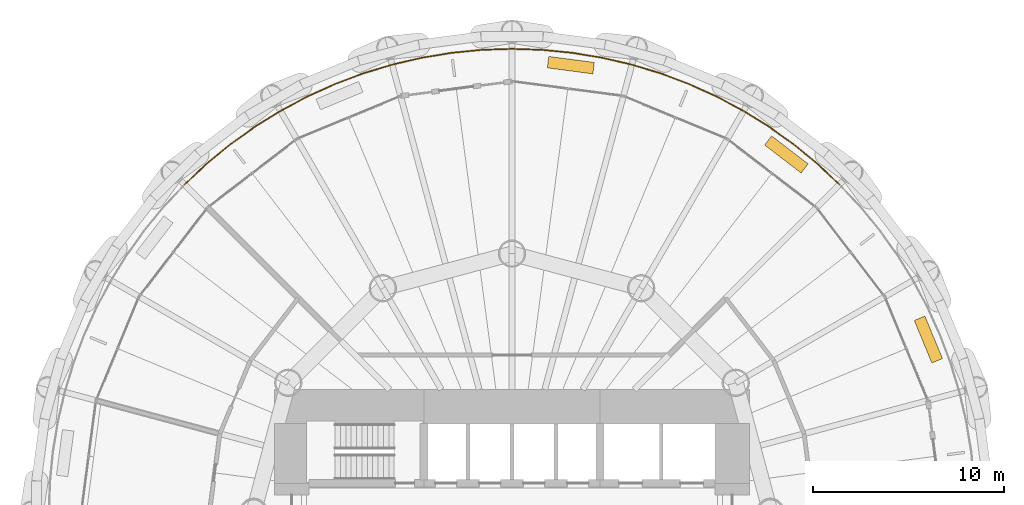
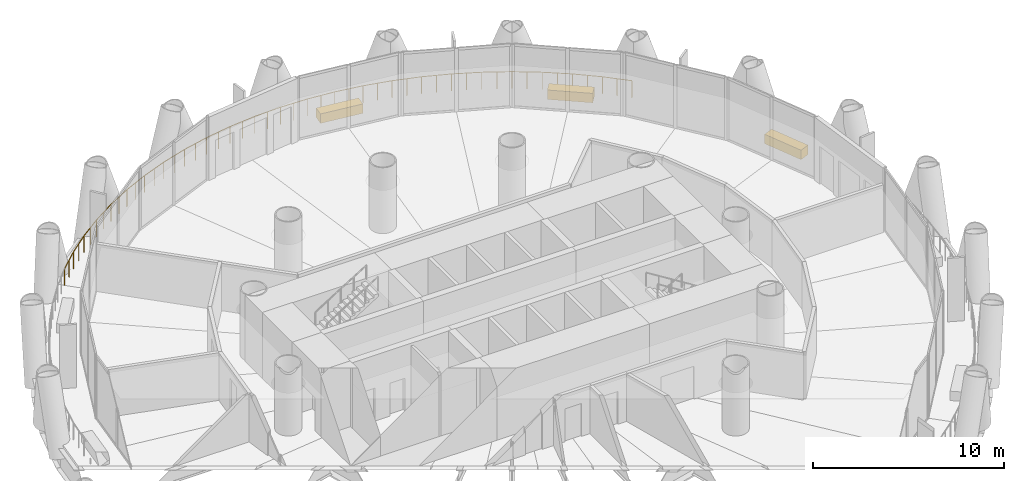
# One storey, part 16 of 16: 3 coverings, 1 railing.
"""IFC4 building model written with IfcOpenShell, lengths in metres."""

from ifc_helpers import new_model, si_unit, direction, frame, origin, origin_2d, place, context, subcontext, project, spatial, rectangle, circle, extrude, material, layer, layer_set, type_object, element, save


model = new_model("IFC4")

# Units and contexts
model_context = context("Model", 3, precision=1e-05, world=origin(), true_north=direction((0.0, 1.0)))
body_context = subcontext(model_context, "Body", "Model", "MODEL_VIEW")
ifc_project = project(units=[si_unit("LENGTHUNIT", "METRE"), si_unit("AREAUNIT", "SQUARE_METRE"), si_unit("VOLUMEUNIT", "CUBIC_METRE"), si_unit("PLANEANGLEUNIT", "RADIAN"), si_unit("MASSUNIT", "GRAM", prefix="KILO")], contexts=[model_context])

# Site, building, storey
site_placement = place(None, origin())
site = spatial("IfcSite", under=ifc_project, at=site_placement, CompositionType="ELEMENT")
building_placement = place(site_placement, origin())
building = spatial("IfcBuilding", under=site, at=building_placement, Name="Qaws Media Tower", CompositionType="ELEMENT")
storey_placement = place(building_placement, frame((0.0, 0.0, 55.39990234375)))
storey = spatial("IfcBuildingStorey", under=building, at=storey_placement, Name="L11", CompositionType="ELEMENT", Elevation=55.39990234375)

# Railing
ifc_material_1 = material(Name="Stainless steel and glass guard", Category="steel")
railing_type = type_object("IfcRailingType", Name="Balcony guard 1100", PredefinedType="GUARDRAIL", material=ifc_material_1)
railing_placement = place(storey_placement, frame((77.112060546875, 67.112060546875, 0.0)))
element("IfcRailing", 1, at=railing_placement, inside=storey, type_object=railing_type, Name="GR1 balcony guard L11-1", PredefinedType="GUARDRAIL", context=body_context, shape_type="SweptSolid", body=[
    extrude(circle(Radius=0.02392578125, at=origin_2d()), frame((0.0, 0.0, 1.076171875), z_axis=(-0.729926480872, 0.683525663397, 0.0), x_axis=(-0.683525663397, -0.729926480872, 0.0)), (0.0, 0.0, 1.0), 1.583740234375),
    extrude(circle(Radius=0.02392578125, at=origin_2d()), frame((-1.156005859375, 1.08251953125, 1.076171875), z_axis=(-0.773001642284, 0.634404020343, 0.0), x_axis=(-0.634404020343, -0.773001642284, 0.0)), (0.0, 0.0, 1.0), 1.58349609375),
    extrude(circle(Radius=0.02392578125, at=origin_2d()), frame((-2.380126953125, 2.087158203125, 1.076171875), z_axis=(-0.81283659414, 0.582491777819, 0.0), x_axis=(-0.582491777819, -0.81283659414, 0.0)), (0.0, 0.0, 1.0), 1.58349609375),
    extrude(circle(Radius=0.02392578125, at=origin_2d()), frame((-3.667236328125, 3.009521484375, 1.076171875), z_axis=(-0.849208715075, 0.528057343706, 0.0), x_axis=(-0.528057343706, -0.849208715075, 0.0)), (0.0, 0.0, 1.0), 1.58349609375),
    extrude(circle(Radius=0.02392578125, at=origin_2d()), frame((-5.011962890625, 3.845703125, 1.076171875), z_axis=(-0.881917304281, 0.471404145515, 0.0), x_axis=(-0.471404145515, -0.881917304281, 0.0)), (0.0, 0.0, 1.0), 1.583740234375),
    extrude(circle(Radius=0.02392578125, at=origin_2d()), frame((-6.40869140625, 4.59228515625, 1.076171875), z_axis=(-0.910856868467, 0.412722382682, 0.0), x_axis=(-0.412722382682, -0.910856868467, 0.0)), (0.0, 0.0, 1.0), 1.58349609375),
    extrude(circle(Radius=0.02392578125, at=origin_2d()), frame((-7.85107421875, 5.245849609375, 1.076171875), z_axis=(-0.935904026053, 0.35225509793, 0.0), x_axis=(-0.35225509793, -0.935904026053, 0.0)), (0.0, 0.0, 1.0), 1.583740234375),
    extrude(circle(Radius=0.02392578125, at=origin_2d()), frame((-9.333251953125, 5.8037109375, 1.076171875), z_axis=(-0.95693489086, 0.290302625985, 0.0), x_axis=(-0.290302625985, -0.95693489086, 0.0)), (0.0, 0.0, 1.0), 1.58349609375),
    extrude(circle(Radius=0.02392578125, at=origin_2d()), frame((-10.8486328125, 6.263427734375, 1.076171875), z_axis=(-0.973874177295, 0.227088279746, 0.0), x_axis=(-0.227088279746, -0.973874177295, 0.0)), (0.0, 0.0, 1.0), 1.58349609375),
    extrude(circle(Radius=0.02392578125, at=origin_2d()), frame((-12.390869140625, 6.623046875, 1.076171875), z_axis=(-0.986659290868, 0.162798782993, 0.0), x_axis=(-0.162798782993, -0.986659290868, 0.0)), (0.0, 0.0, 1.0), 1.583740234375),
    extrude(circle(Radius=0.02392578125, at=origin_2d()), frame((-13.953369140625, 6.880859375, 1.076171875), z_axis=(-0.995181146918, 0.098053479386, 0.0), x_axis=(-0.098053479386, -0.995181146918, 0.0)), (0.0, 0.0, 1.0), 1.58349609375),
    extrude(circle(Radius=0.02392578125, at=origin_2d()), frame((-15.529296875, 7.0361328125, 1.076171875), z_axis=(-0.999465753674, 0.032683439731, 0.0), x_axis=(-0.032683439731, -0.999465753674, 0.0)), (0.0, 0.0, 1.0), 1.58349609375),
    extrude(circle(Radius=0.02392578125, at=origin_2d()), frame((-17.112060546875, 7.087890625, 1.076171875), z_axis=(-0.999465753674, -0.032683439731, 0.0), x_axis=(0.032683439731, -0.999465753674, 0.0)), (0.0, 0.0, 1.0), 1.58349609375),
    extrude(circle(Radius=0.02392578125, at=origin_2d()), frame((-18.69482421875, 7.0361328125, 1.076171875), z_axis=(-0.995181146918, -0.098053479386, 0.0), x_axis=(0.098053479386, -0.995181146918, 0.0)), (0.0, 0.0, 1.0), 1.58349609375),
    extrude(circle(Radius=0.02392578125, at=origin_2d()), frame((-20.270751953125, 6.880859375, 1.076171875), z_axis=(-0.986659290868, -0.162798782993, 0.0), x_axis=(0.162798782993, -0.986659290868, 0.0)), (0.0, 0.0, 1.0), 1.583740234375),
    extrude(circle(Radius=0.02392578125, at=origin_2d()), frame((-21.833251953125, 6.623046875, 1.076171875), z_axis=(-0.973874177295, -0.227088279746, 0.0), x_axis=(0.227088279746, -0.973874177295, 0.0)), (0.0, 0.0, 1.0), 1.58349609375),
    extrude(circle(Radius=0.02392578125, at=origin_2d()), frame((-23.37548828125, 6.263427734375, 1.076171875), z_axis=(-0.95693489086, -0.290302625985, 0.0), x_axis=(0.290302625985, -0.95693489086, 0.0)), (0.0, 0.0, 1.0), 1.58349609375),
    extrude(circle(Radius=0.02392578125, at=origin_2d()), frame((-24.890869140625, 5.8037109375, 1.076171875), z_axis=(-0.935904026053, -0.35225509793, 0.0), x_axis=(0.35225509793, -0.935904026053, 0.0)), (0.0, 0.0, 1.0), 1.583740234375),
    extrude(circle(Radius=0.02392578125, at=origin_2d()), frame((-26.373046875, 5.245849609375, 1.076171875), z_axis=(-0.910856868467, -0.412722382682, 0.0), x_axis=(0.412722382682, -0.910856868467, 0.0)), (0.0, 0.0, 1.0), 1.58349609375),
    extrude(circle(Radius=0.02392578125, at=origin_2d()), frame((-27.8154296875, 4.59228515625, 1.076171875), z_axis=(-0.881917304281, -0.471404145515, 0.0), x_axis=(0.471404145515, -0.881917304281, 0.0)), (0.0, 0.0, 1.0), 1.583740234375),
    extrude(circle(Radius=0.02392578125, at=origin_2d()), frame((-29.212158203125, 3.845703125, 1.076171875), z_axis=(-0.849208715075, -0.528057343706, 0.0), x_axis=(0.528057343706, -0.849208715075, 0.0)), (0.0, 0.0, 1.0), 1.58349609375),
    extrude(circle(Radius=0.02392578125, at=origin_2d()), frame((-30.556884765625, 3.009521484375, 1.076171875), z_axis=(-0.81283659414, -0.582491777819, 0.0), x_axis=(0.582491777819, -0.81283659414, 0.0)), (0.0, 0.0, 1.0), 1.58349609375),
    extrude(circle(Radius=0.02392578125, at=origin_2d()), frame((-31.843994140625, 2.087158203125, 1.076171875), z_axis=(-0.773001642284, -0.634404020343, 0.0), x_axis=(0.634404020343, -0.773001642284, 0.0)), (0.0, 0.0, 1.0), 1.58349609375),
    extrude(circle(Radius=0.02392578125, at=origin_2d()), frame((-33.068115234375, 1.08251953125, 1.076171875), z_axis=(-0.729926480872, -0.683525663397, 0.0), x_axis=(0.683525663397, -0.729926480872, 0.0)), (0.0, 0.0, 1.0), 1.583740234375),
    extrude(circle(Radius=0.02099609375, at=origin_2d()), origin(), (0.0, 0.0, 1.0), 1.052001953125),
    extrude(circle(Radius=0.02099609375, at=origin_2d()), frame((-0.578125, 0.541259765625, 0.0)), (0.0, 0.0, 1.0), 1.052001953125),
    extrude(circle(Radius=0.02099609375, at=origin_2d()), frame((-1.156005859375, 1.08251953125, 0.0)), (0.0, 0.0, 1.0), 1.052001953125),
    extrude(circle(Radius=0.02099609375, at=origin_2d()), frame((-1.76806640625, 1.5849609375, 0.0)), (0.0, 0.0, 1.0), 1.052001953125),
    extrude(circle(Radius=0.02099609375, at=origin_2d()), frame((-2.380126953125, 2.087158203125, 0.0)), (0.0, 0.0, 1.0), 1.052001953125),
    extrude(circle(Radius=0.02099609375, at=origin_2d()), frame((-3.023681640625, 2.54833984375, 0.0)), (0.0, 0.0, 1.0), 1.052001953125),
    extrude(circle(Radius=0.02099609375, at=origin_2d()), frame((-3.667236328125, 3.009521484375, 0.0)), (0.0, 0.0, 1.0), 1.052001953125),
    extrude(circle(Radius=0.02099609375, at=origin_2d()), frame((-4.339599609375, 3.427734375, 0.0)), (0.0, 0.0, 1.0), 1.052001953125),
    extrude(circle(Radius=0.02099609375, at=origin_2d()), frame((-5.011962890625, 3.845703125, 0.0)), (0.0, 0.0, 1.0), 1.052001953125),
    extrude(circle(Radius=0.02099609375, at=origin_2d()), frame((-5.71044921875, 4.218994140625, 0.0)), (0.0, 0.0, 1.0), 1.052001953125),
    extrude(circle(Radius=0.02099609375, at=origin_2d()), frame((-6.40869140625, 4.59228515625, 0.0)), (0.0, 0.0, 1.0), 1.052001953125),
    extrude(circle(Radius=0.02099609375, at=origin_2d()), frame((-7.1298828125, 4.9189453125, 0.0)), (0.0, 0.0, 1.0), 1.052001953125),
    extrude(circle(Radius=0.02099609375, at=origin_2d()), frame((-7.85107421875, 5.245849609375, 0.0)), (0.0, 0.0, 1.0), 1.052001953125),
    extrude(circle(Radius=0.02099609375, at=origin_2d()), frame((-8.59228515625, 5.52490234375, 0.0)), (0.0, 0.0, 1.0), 1.052001953125),
    extrude(circle(Radius=0.02099609375, at=origin_2d()), frame((-9.333251953125, 5.8037109375, 0.0)), (0.0, 0.0, 1.0), 1.052001953125),
    extrude(circle(Radius=0.02099609375, at=origin_2d()), frame((-10.0908203125, 6.03369140625, 0.0)), (0.0, 0.0, 1.0), 1.052001953125),
    extrude(circle(Radius=0.02099609375, at=origin_2d()), frame((-10.8486328125, 6.263427734375, 0.0)), (0.0, 0.0, 1.0), 1.052001953125),
    extrude(circle(Radius=0.02099609375, at=origin_2d()), frame((-11.61962890625, 6.443359375, 0.0)), (0.0, 0.0, 1.0), 1.052001953125),
    extrude(circle(Radius=0.02099609375, at=origin_2d()), frame((-12.390869140625, 6.623046875, 0.0)), (0.0, 0.0, 1.0), 1.052001953125),
    extrude(circle(Radius=0.02099609375, at=origin_2d()), frame((-13.172119140625, 6.751953125, 0.0)), (0.0, 0.0, 1.0), 1.052001953125),
    extrude(circle(Radius=0.02099609375, at=origin_2d()), frame((-13.953369140625, 6.880859375, 0.0)), (0.0, 0.0, 1.0), 1.052001953125),
    extrude(circle(Radius=0.02099609375, at=origin_2d()), frame((-14.7412109375, 6.95849609375, 0.0)), (0.0, 0.0, 1.0), 1.052001953125),
    extrude(circle(Radius=0.02099609375, at=origin_2d()), frame((-15.529296875, 7.0361328125, 0.0)), (0.0, 0.0, 1.0), 1.052001953125),
    extrude(circle(Radius=0.02099609375, at=origin_2d()), frame((-16.32080078125, 7.06201171875, 0.0)), (0.0, 0.0, 1.0), 1.052001953125),
    extrude(circle(Radius=0.02099609375, at=origin_2d()), frame((-17.112060546875, 7.087890625, 0.0)), (0.0, 0.0, 1.0), 1.052001953125),
    extrude(circle(Radius=0.02099609375, at=origin_2d()), frame((-17.9033203125, 7.06201171875, 0.0)), (0.0, 0.0, 1.0), 1.052001953125),
    extrude(circle(Radius=0.02099609375, at=origin_2d()), frame((-18.69482421875, 7.0361328125, 0.0)), (0.0, 0.0, 1.0), 1.052001953125),
    extrude(circle(Radius=0.02099609375, at=origin_2d()), frame((-19.48291015625, 6.95849609375, 0.0)), (0.0, 0.0, 1.0), 1.052001953125),
    extrude(circle(Radius=0.02099609375, at=origin_2d()), frame((-20.270751953125, 6.880859375, 0.0)), (0.0, 0.0, 1.0), 1.052001953125),
    extrude(circle(Radius=0.02099609375, at=origin_2d()), frame((-21.052001953125, 6.751953125, 0.0)), (0.0, 0.0, 1.0), 1.052001953125),
    extrude(circle(Radius=0.02099609375, at=origin_2d()), frame((-21.833251953125, 6.623046875, 0.0)), (0.0, 0.0, 1.0), 1.052001953125),
    extrude(circle(Radius=0.02099609375, at=origin_2d()), frame((-22.6044921875, 6.443359375, 0.0)), (0.0, 0.0, 1.0), 1.052001953125),
    extrude(circle(Radius=0.02099609375, at=origin_2d()), frame((-23.37548828125, 6.263427734375, 0.0)), (0.0, 0.0, 1.0), 1.052001953125),
    extrude(circle(Radius=0.02099609375, at=origin_2d()), frame((-24.13330078125, 6.03369140625, 0.0)), (0.0, 0.0, 1.0), 1.052001953125),
    extrude(circle(Radius=0.02099609375, at=origin_2d()), frame((-24.890869140625, 5.8037109375, 0.0)), (0.0, 0.0, 1.0), 1.052001953125),
    extrude(circle(Radius=0.02099609375, at=origin_2d()), frame((-25.6318359375, 5.52490234375, 0.0)), (0.0, 0.0, 1.0), 1.052001953125),
    extrude(circle(Radius=0.02099609375, at=origin_2d()), frame((-26.373046875, 5.245849609375, 0.0)), (0.0, 0.0, 1.0), 1.052001953125),
    extrude(circle(Radius=0.02099609375, at=origin_2d()), frame((-27.09423828125, 4.9189453125, 0.0)), (0.0, 0.0, 1.0), 1.052001953125),
    extrude(circle(Radius=0.02099609375, at=origin_2d()), frame((-27.8154296875, 4.59228515625, 0.0)), (0.0, 0.0, 1.0), 1.052001953125),
    extrude(circle(Radius=0.02099609375, at=origin_2d()), frame((-28.513671875, 4.218994140625, 0.0)), (0.0, 0.0, 1.0), 1.052001953125),
    extrude(circle(Radius=0.02099609375, at=origin_2d()), frame((-29.212158203125, 3.845703125, 0.0)), (0.0, 0.0, 1.0), 1.052001953125),
    extrude(circle(Radius=0.02099609375, at=origin_2d()), frame((-29.884521484375, 3.427734375, 0.0)), (0.0, 0.0, 1.0), 1.052001953125),
    extrude(circle(Radius=0.02099609375, at=origin_2d()), frame((-30.556884765625, 3.009521484375, 0.0)), (0.0, 0.0, 1.0), 1.052001953125),
    extrude(circle(Radius=0.02099609375, at=origin_2d()), frame((-31.200439453125, 2.54833984375, 0.0)), (0.0, 0.0, 1.0), 1.052001953125),
    extrude(circle(Radius=0.02099609375, at=origin_2d()), frame((-31.843994140625, 2.087158203125, 0.0)), (0.0, 0.0, 1.0), 1.052001953125),
    extrude(circle(Radius=0.02099609375, at=origin_2d()), frame((-32.4560546875, 1.5849609375, 0.0)), (0.0, 0.0, 1.0), 1.052001953125),
    extrude(circle(Radius=0.02099609375, at=origin_2d()), frame((-33.068115234375, 1.08251953125, 0.0)), (0.0, 0.0, 1.0), 1.052001953125),
    extrude(circle(Radius=0.02099609375, at=origin_2d()), frame((-33.64599609375, 0.541259765625, 0.0)), (0.0, 0.0, 1.0), 1.052001953125),
    extrude(circle(Radius=0.02099609375, at=origin_2d()), frame((-34.22412109375, 0.0, 0.0)), (0.0, 0.0, 1.0), 1.052001953125),
])

# Coverings
ifc_material_2 = material(Name="Precast concrete planter with trailing planting", Category="concrete")
ifc_layer = layer(ifc_material_2, 0.60009765625)
ifc_layer_set = layer_set([ifc_layer], Name="Planter 2400x600")
covering_type = type_object("IfcCoveringType", Name="Planter 2400x600", PredefinedType="USERDEFINED", material=ifc_layer_set)
for number, where, z_axis, x_axis, name in (
    (2, (81.75732421875, 59.01220703125, 0.0), (0.0, 0.0, 1.0), (-0.382683432365, 0.923879532511, 0.0), "PL1 balcony planter L11-01"),
    (3, (74.33642578125, 68.683349609375, 0.0), (0.0, 0.0, 1.0), (-0.793353340291, 0.608761429009, 0.0), "PL1 balcony planter L11-02"),
    (4, (63.073974609375, 73.3486328125, 0.0), (0.0, 0.0, 1.0), (-0.991444861374, 0.13052619222, 0.0), "PL1 balcony planter L11-03"),
):
    element("IfcCovering", number, at=place(storey_placement, frame(where, z_axis=z_axis, x_axis=x_axis)), inside=storey, type_object=covering_type, Name=name, ObjectType="PLANTER", PredefinedType="USERDEFINED", context=body_context, shape_type="SweptSolid", body=[
        extrude(rectangle(XDim=2.39990234375, YDim=0.60009765625, at=origin_2d()), origin(), (0.0, 0.0, 1.0), 0.60009765625),
    ])

save(model, "model.ifc")
